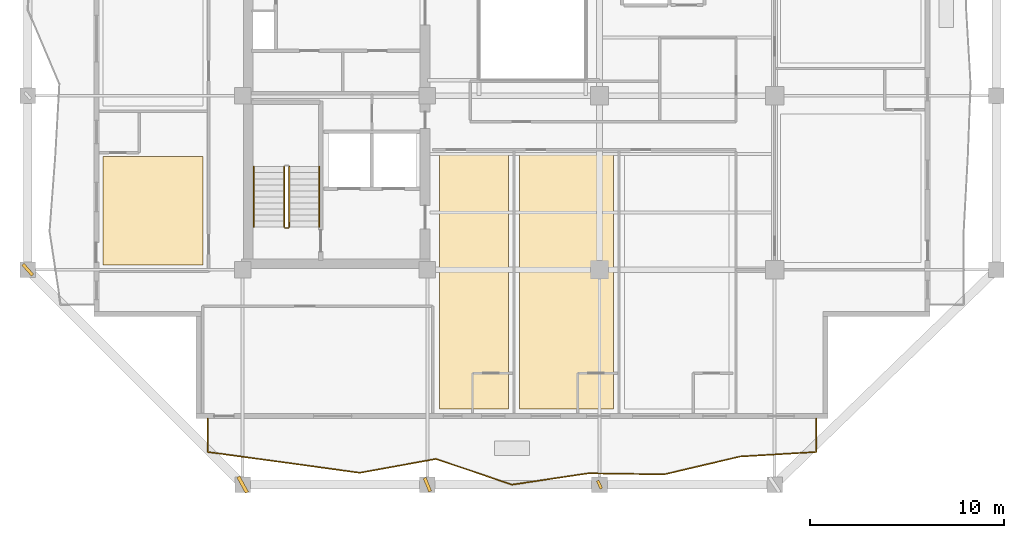
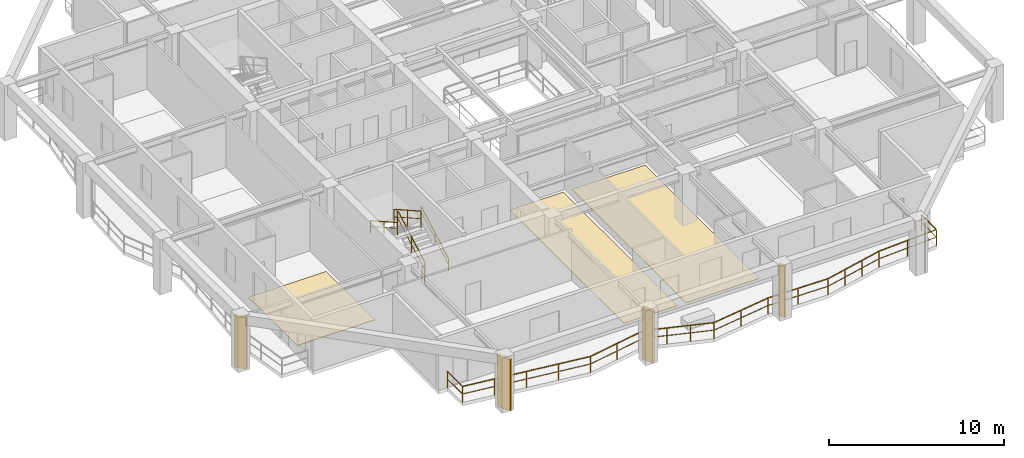
# One storey, part 8 of 13: 6 railings, 4 shading devices, 3 coverings.
"""IFC4 building model written with IfcOpenShell, lengths in metres."""

from ifc_helpers import new_model, si_unit, direction, frame, origin, origin_2d, place, context, subcontext, project, spatial, polyline, rectangle, outline, extrude, material, layer, layer_set, type_object, element, save


model = new_model("IFC4")

# Units and contexts
model_context = context("Model", 3, precision=1e-05, world=origin(), true_north=direction((0.0, 1.0)))
body_context = subcontext(model_context, "Body", "Model", "MODEL_VIEW")
ifc_project = project(units=[si_unit("LENGTHUNIT", "METRE"), si_unit("AREAUNIT", "SQUARE_METRE"), si_unit("VOLUMEUNIT", "CUBIC_METRE"), si_unit("PLANEANGLEUNIT", "RADIAN"), si_unit("MASSUNIT", "GRAM", prefix="KILO")], contexts=[model_context])

# Site, building, storey
site_placement = place(None, origin())
site = spatial("IfcSite", under=ifc_project, at=site_placement, CompositionType="ELEMENT")
building_placement = place(site_placement, origin())
building = spatial("IfcBuilding", under=site, at=building_placement, Name="Kundavana Baori Tower", CompositionType="ELEMENT")
storey_placement = place(building_placement, frame((0.0, 0.0, 177.14990234375)))
storey = spatial("IfcBuildingStorey", under=building, at=storey_placement, Name="L43", CompositionType="ELEMENT", Elevation=177.14990234375)

# Coverings
ifc_material_1 = material(Name="Honed Kota Stone and Terrazzo Flooring", Category="masonry")
ifc_layer = layer(ifc_material_1, 0.030029296875, Name="COV-INT-FLR")
ifc_layer_set = layer_set([ifc_layer], Name="Honed Kota Stone and Terrazzo Flooring")
covering_type = type_object("IfcCoveringType", Name="COV-INT-FLR", PredefinedType="FLOORING", material=ifc_layer_set)
covering_1_placement = place(storey_placement, origin())
element("IfcCovering", 1, at=covering_1_placement, inside=storey, type_object=covering_type, Name="L43 Room Finished Stone Flooring 1", PredefinedType="FLOORING", context=body_context, shape_type="SweptSolid", body=[
    extrude(outline(polyline([(8.280029296875, 15.5), (13.419921875, 15.5), (13.419921875, 21.070068359375), (8.280029296875, 21.070068359375), (8.280029296875, 15.5)])), origin(), (0.0, 0.0, 1.0), 0.030029296875),
])
covering_2_placement = place(storey_placement, origin())
element("IfcCovering", 2, at=covering_2_placement, inside=storey, type_object=covering_type, Name="L43 Room Finished Stone Flooring 4", PredefinedType="FLOORING", context=body_context, shape_type="SweptSolid", body=[
    extrude(outline(polyline([(25.580078125, 8.080078125), (29.1201171875, 8.080078125), (29.1201171875, 21.139892578125), (25.580078125, 21.139892578125), (25.580078125, 8.080078125)])), origin(), (0.0, 0.0, 1.0), 0.030029296875),
])
covering_3_placement = place(storey_placement, origin())
element("IfcCovering", 3, at=covering_3_placement, inside=storey, type_object=covering_type, Name="L43 Room Finished Stone Flooring 5", PredefinedType="FLOORING", context=body_context, shape_type="SweptSolid", body=[
    extrude(outline(polyline([(29.679931640625, 8.080078125), (34.52001953125, 8.080078125), (34.52001953125, 21.139892578125), (29.679931640625, 21.139892578125), (29.679931640625, 8.080078125)])), origin(), (0.0, 0.0, 1.0), 0.030029296875),
])

# Railings
ifc_material_2 = material(Name="Architectural Patinated Bronze Metalwork")
railing_type_1 = type_object("IfcRailingType", Name="RL-BAL-1150", PredefinedType="BALUSTRADE", material=ifc_material_2)
railing_1_placement = place(storey_placement, frame((44.949951171875, 7.60009765625, 0.0)))
element("IfcRailing", 4, at=railing_1_placement, inside=storey, type_object=railing_type_1, Name="L43 Loggia Balcony Balustrade S", PredefinedType="BALUSTRADE", context=body_context, shape_type="SweptSolid", body=[
    extrude(rectangle(XDim=0.048095703125, YDim=0.048095703125, at=origin_2d()), frame((0.0, 0.0, 1.1259765625), z_axis=(0.0, -1.0, 0.0), x_axis=(1.0, 0.0, 0.0)), (0.0, 0.0, 1.0), 1.72021484375),
    extrude(rectangle(XDim=0.03125, YDim=0.03125, at=origin_2d()), frame((0.0, 0.0, 0.597900390625), z_axis=(0.0, -1.0, 0.0), x_axis=(1.0, 0.0, 0.0)), (0.0, 0.0, 1.0), 1.72021484375),
    extrude(rectangle(XDim=0.048095703125, YDim=0.048095703125, at=origin_2d()), frame((0.0, -1.72021484375, 1.1259765625), z_axis=(-0.998246981937, -0.059185834915, 0.0), x_axis=(0.059185834915, -0.998246981937, 0.0)), (0.0, 0.0, 1.0), 3.918701171875),
    extrude(rectangle(XDim=0.03125, YDim=0.03125, at=origin_2d()), frame((0.0, -1.72021484375, 0.597900390625), z_axis=(-0.998246981937, -0.059185834915, 0.0), x_axis=(0.059185834915, -0.998246981937, 0.0)), (0.0, 0.0, 1.0), 3.918701171875),
    extrude(rectangle(XDim=0.048095703125, YDim=0.048095703125, at=origin_2d()), frame((-3.911865234375, -1.9521484375, 1.1259765625), z_axis=(-0.973515852472, -0.228619520134, 0.0), x_axis=(0.228619520134, -0.973515852472, 0.0)), (0.0, 0.0, 1.0), 4.01953125),
    extrude(rectangle(XDim=0.03125, YDim=0.03125, at=origin_2d()), frame((-3.911865234375, -1.9521484375, 0.597900390625), z_axis=(-0.973515852472, -0.228619520134, 0.0), x_axis=(0.228619520134, -0.973515852472, 0.0)), (0.0, 0.0, 1.0), 4.01953125),
    extrude(rectangle(XDim=0.048095703125, YDim=0.048095703125, at=origin_2d()), frame((-7.824951171875, -2.87109375, 1.1259765625), z_axis=(-0.999904906523, 0.01379050077, 0.0), x_axis=(-0.01379050077, -0.999904906523, 0.0)), (0.0, 0.0, 1.0), 3.91259765625),
    extrude(rectangle(XDim=0.03125, YDim=0.03125, at=origin_2d()), frame((-7.824951171875, -2.87109375, 0.597900390625), z_axis=(-0.999904906523, 0.01379050077, 0.0), x_axis=(-0.01379050077, -0.999904906523, 0.0)), (0.0, 0.0, 1.0), 3.91259765625),
    extrude(rectangle(XDim=0.048095703125, YDim=0.048095703125, at=origin_2d()), frame((-11.737060546875, -2.817138671875, 1.1259765625), z_axis=(-0.989081184135, -0.147371677027, 0.0), x_axis=(0.147371677027, -0.989081184135, 0.0)), (0.0, 0.0, 1.0), 3.9560546875),
    extrude(rectangle(XDim=0.03125, YDim=0.03125, at=origin_2d()), frame((-11.737060546875, -2.817138671875, 0.597900390625), z_axis=(-0.989081184135, -0.147371677027, 0.0), x_axis=(0.147371677027, -0.989081184135, 0.0)), (0.0, 0.0, 1.0), 3.9560546875),
    extrude(rectangle(XDim=0.048095703125, YDim=0.048095703125, at=origin_2d()), frame((-15.64990234375, -3.400146484375, 1.1259765625), z_axis=(-0.947296863291, 0.32035707078, 0.0), x_axis=(-0.32035707078, -0.947296863291, 0.0)), (0.0, 0.0, 1.0), 4.129638671875),
    extrude(rectangle(XDim=0.03125, YDim=0.03125, at=origin_2d()), frame((-15.64990234375, -3.400146484375, 0.597900390625), z_axis=(-0.947296863291, 0.32035707078, 0.0), x_axis=(-0.32035707078, -0.947296863291, 0.0)), (0.0, 0.0, 1.0), 4.129638671875),
    extrude(rectangle(XDim=0.048095703125, YDim=0.048095703125, at=origin_2d()), frame((-19.56201171875, -2.0771484375, 1.1259765625), z_axis=(-0.98380502376, -0.179241946052, 0.0), x_axis=(0.179241946052, -0.98380502376, 0.0)), (0.0, 0.0, 1.0), 3.977294921875),
    extrude(rectangle(XDim=0.03125, YDim=0.03125, at=origin_2d()), frame((-19.56201171875, -2.0771484375, 0.597900390625), z_axis=(-0.98380502376, -0.179241946052, 0.0), x_axis=(0.179241946052, -0.98380502376, 0.0)), (0.0, 0.0, 1.0), 3.977294921875),
    extrude(rectangle(XDim=0.048095703125, YDim=0.048095703125, at=origin_2d()), frame((-23.474853515625, -2.7900390625, 1.1259765625), z_axis=(-0.990685928468, 0.136166776916, 0.0), x_axis=(-0.136166776916, -0.990685928468, 0.0)), (0.0, 0.0, 1.0), 3.949951171875),
    extrude(rectangle(XDim=0.03125, YDim=0.03125, at=origin_2d()), frame((-23.474853515625, -2.7900390625, 0.597900390625), z_axis=(-0.990685928468, 0.136166776916, 0.0), x_axis=(-0.136166776916, -0.990685928468, 0.0)), (0.0, 0.0, 1.0), 3.949951171875),
    extrude(rectangle(XDim=0.048095703125, YDim=0.048095703125, at=origin_2d()), frame((-27.387939453125, -2.252197265625, 1.1259765625), z_axis=(-0.990880522141, 0.13474342597, 0.0), x_axis=(-0.13474342597, -0.990880522141, 0.0)), (0.0, 0.0, 1.0), 3.947998046875),
    extrude(rectangle(XDim=0.03125, YDim=0.03125, at=origin_2d()), frame((-27.387939453125, -2.252197265625, 0.597900390625), z_axis=(-0.990880522141, 0.13474342597, 0.0), x_axis=(-0.13474342597, -0.990880522141, 0.0)), (0.0, 0.0, 1.0), 3.947998046875),
    extrude(rectangle(XDim=0.048095703125, YDim=0.048095703125, at=origin_2d()), frame((-31.300048828125, -1.72021484375, 1.1259765625), z_axis=(0.0, 1.0, 0.0), x_axis=(-1.0, 0.0, 0.0)), (0.0, 0.0, 1.0), 1.72021484375),
    extrude(rectangle(XDim=0.03125, YDim=0.03125, at=origin_2d()), frame((-31.300048828125, -1.72021484375, 0.597900390625), z_axis=(0.0, 1.0, 0.0), x_axis=(-1.0, 0.0, 0.0)), (0.0, 0.0, 1.0), 1.72021484375),
    extrude(rectangle(XDim=0.0419921875, YDim=0.0419921875, at=origin_2d()), origin(), (0.0, 0.0, 1.0), 1.101806640625),
    extrude(rectangle(XDim=0.0419921875, YDim=0.0419921875, at=origin_2d()), frame((0.0, -1.72021484375, 0.0)), (0.0, 0.0, 1.0), 1.101806640625),
    extrude(rectangle(XDim=0.0419921875, YDim=0.0419921875, at=origin_2d()), frame((-1.9560546875, -1.836181640625, 0.0)), (0.0, 0.0, 1.0), 1.101806640625),
    extrude(rectangle(XDim=0.0419921875, YDim=0.0419921875, at=origin_2d()), frame((-3.911865234375, -1.9521484375, 0.0)), (0.0, 0.0, 1.0), 1.101806640625),
    extrude(rectangle(XDim=0.0419921875, YDim=0.0419921875, at=origin_2d()), frame((-5.21630859375, -2.258544921875, 0.0)), (0.0, 0.0, 1.0), 1.101806640625),
    extrude(rectangle(XDim=0.0419921875, YDim=0.0419921875, at=origin_2d()), frame((-6.5205078125, -2.564697265625, 0.0)), (0.0, 0.0, 1.0), 1.101806640625),
    extrude(rectangle(XDim=0.0419921875, YDim=0.0419921875, at=origin_2d()), frame((-7.824951171875, -2.87109375, 0.0)), (0.0, 0.0, 1.0), 1.101806640625),
    extrude(rectangle(XDim=0.0419921875, YDim=0.0419921875, at=origin_2d()), frame((-9.781005859375, -2.84423828125, 0.0)), (0.0, 0.0, 1.0), 1.101806640625),
    extrude(rectangle(XDim=0.0419921875, YDim=0.0419921875, at=origin_2d()), frame((-11.737060546875, -2.817138671875, 0.0)), (0.0, 0.0, 1.0), 1.101806640625),
    extrude(rectangle(XDim=0.0419921875, YDim=0.0419921875, at=origin_2d()), frame((-13.693359375, -3.108642578125, 0.0)), (0.0, 0.0, 1.0), 1.101806640625),
    extrude(rectangle(XDim=0.0419921875, YDim=0.0419921875, at=origin_2d()), frame((-15.64990234375, -3.400146484375, 0.0)), (0.0, 0.0, 1.0), 1.101806640625),
    extrude(rectangle(XDim=0.0419921875, YDim=0.0419921875, at=origin_2d()), frame((-16.953857421875, -2.959228515625, 0.0)), (0.0, 0.0, 1.0), 1.101806640625),
    extrude(rectangle(XDim=0.0419921875, YDim=0.0419921875, at=origin_2d()), frame((-18.258056640625, -2.51806640625, 0.0)), (0.0, 0.0, 1.0), 1.101806640625),
    extrude(rectangle(XDim=0.0419921875, YDim=0.0419921875, at=origin_2d()), frame((-19.56201171875, -2.0771484375, 0.0)), (0.0, 0.0, 1.0), 1.101806640625),
    extrude(rectangle(XDim=0.0419921875, YDim=0.0419921875, at=origin_2d()), frame((-21.5185546875, -2.43359375, 0.0)), (0.0, 0.0, 1.0), 1.101806640625),
    extrude(rectangle(XDim=0.0419921875, YDim=0.0419921875, at=origin_2d()), frame((-23.474853515625, -2.7900390625, 0.0)), (0.0, 0.0, 1.0), 1.101806640625),
    extrude(rectangle(XDim=0.0419921875, YDim=0.0419921875, at=origin_2d()), frame((-25.431396484375, -2.52099609375, 0.0)), (0.0, 0.0, 1.0), 1.101806640625),
    extrude(rectangle(XDim=0.0419921875, YDim=0.0419921875, at=origin_2d()), frame((-27.387939453125, -2.252197265625, 0.0)), (0.0, 0.0, 1.0), 1.101806640625),
    extrude(rectangle(XDim=0.0419921875, YDim=0.0419921875, at=origin_2d()), frame((-29.343994140625, -1.986328125, 0.0)), (0.0, 0.0, 1.0), 1.101806640625),
    extrude(rectangle(XDim=0.0419921875, YDim=0.0419921875, at=origin_2d()), frame((-31.300048828125, -1.72021484375, 0.0)), (0.0, 0.0, 1.0), 1.101806640625),
    extrude(rectangle(XDim=0.0419921875, YDim=0.0419921875, at=origin_2d()), frame((-31.300048828125, 0.0, 0.0)), (0.0, 0.0, 1.0), 1.101806640625),
])
ifc_material_3 = material(Name="Architectural Patinated Bronze Metalwork")
railing_type_2 = type_object("IfcRailingType", Name="RL-GRD-1150", PredefinedType="GUARDRAIL", material=ifc_material_3)
railing_2_placement = place(storey_placement, frame((17.840087890625, 17.449951171875, 0.175048828125)))
element("IfcRailing", 5, at=railing_2_placement, inside=storey, type_object=railing_type_2, Name="L43 ST1 stair guard 1", PredefinedType="GUARDRAIL", context=body_context, shape_type="SweptSolid", body=[
    extrude(rectangle(XDim=0.048095703125, YDim=0.048095703125, at=origin_2d()), frame((0.0, 0.0, 1.1259765625), z_axis=(0.0, 0.870830938388, 0.491582624537), x_axis=(-1.0, 0.0, 0.0)), (0.0, 0.0, 1.0), 3.559814453125),
    extrude(rectangle(XDim=0.03125, YDim=0.03125, at=origin_2d()), frame((0.0, 0.0, 0.597900390625), z_axis=(0.0, 0.870830938388, 0.491582624537), x_axis=(-1.0, 0.0, 0.0)), (0.0, 0.0, 1.0), 3.559814453125),
    extrude(rectangle(XDim=0.0419921875, YDim=0.0419921875, at=origin_2d()), origin(), (0.0, 0.0, 1.0), 1.101806640625),
    extrude(rectangle(XDim=0.0419921875, YDim=0.0419921875, at=origin_2d()), frame((0.0, 1.550048828125, 0.875)), (0.0, 0.0, 1.0), 1.101806640625),
    extrude(rectangle(XDim=0.0419921875, YDim=0.0419921875, at=origin_2d()), frame((0.0, 3.10009765625, 1.75)), (0.0, 0.0, 1.0), 1.101806640625),
])
railing_3_placement = place(storey_placement, frame((17.580078125, 20.550048828125, 2.10009765625)))
element("IfcRailing", 6, at=railing_3_placement, inside=storey, type_object=railing_type_2, Name="L43 ST1 stair guard 3", PredefinedType="GUARDRAIL", context=body_context, shape_type="SweptSolid", body=[
    extrude(rectangle(XDim=0.048095703125, YDim=0.048095703125, at=origin_2d()), frame((0.0, 0.0, 1.1259765625), z_axis=(0.0, -0.870830938388, 0.491582624537), x_axis=(1.0, 0.0, 0.0)), (0.0, 0.0, 1.0), 3.559814453125),
    extrude(rectangle(XDim=0.03125, YDim=0.03125, at=origin_2d()), frame((0.0, 0.0, 0.597900390625), z_axis=(0.0, -0.870830938388, 0.491582624537), x_axis=(1.0, 0.0, 0.0)), (0.0, 0.0, 1.0), 3.559814453125),
    extrude(rectangle(XDim=0.0419921875, YDim=0.0419921875, at=origin_2d()), origin(), (0.0, 0.0, 1.0), 1.101806640625),
    extrude(rectangle(XDim=0.0419921875, YDim=0.0419921875, at=origin_2d()), frame((0.0, -1.550048828125, 0.875)), (0.0, 0.0, 1.0), 1.101806640625),
    extrude(rectangle(XDim=0.0419921875, YDim=0.0419921875, at=origin_2d()), frame((0.0, -3.10009765625, 1.75)), (0.0, 0.0, 1.0), 1.101806640625),
])
railing_4_placement = place(storey_placement, frame((17.7900390625, 17.39990234375, 0.0)))
element("IfcRailing", 7, at=railing_4_placement, inside=storey, type_object=railing_type_2, Name="L43 ST1 stair guard 4", PredefinedType="GUARDRAIL", context=body_context, shape_type="SweptSolid", body=[
    extrude(rectangle(XDim=0.048095703125, YDim=0.048095703125, at=origin_2d()), frame((0.0, 0.0, 1.1259765625), z_axis=(-1.0, 0.0, 0.0), x_axis=(0.0, -1.0, 0.0)), (0.0, 0.0, 1.0), 0.16015625),
    extrude(rectangle(XDim=0.03125, YDim=0.03125, at=origin_2d()), frame((0.0, 0.0, 0.597900390625), z_axis=(-1.0, 0.0, 0.0), x_axis=(0.0, -1.0, 0.0)), (0.0, 0.0, 1.0), 0.16015625),
    extrude(rectangle(XDim=0.0419921875, YDim=0.0419921875, at=origin_2d()), origin(), (0.0, 0.0, 1.0), 1.101806640625),
    extrude(rectangle(XDim=0.0419921875, YDim=0.0419921875, at=origin_2d()), frame((-0.16015625, 0.0, 0.0)), (0.0, 0.0, 1.0), 1.101806640625),
])
ifc_material_4 = material(Name="Architectural Patinated Bronze Metalwork")
railing_type_3 = type_object("IfcRailingType", Name="RL-HND-920", PredefinedType="HANDRAIL", material=ifc_material_4)
railing_5_placement = place(storey_placement, frame((19.389892578125, 17.449951171875, 0.175048828125)))
element("IfcRailing", 8, at=railing_5_placement, inside=storey, type_object=railing_type_3, Name="L43 ST1 stair handrail 1", PredefinedType="HANDRAIL", context=body_context, shape_type="SweptSolid", body=[
    extrude(rectangle(XDim=0.048095703125, YDim=0.048095703125, at=origin_2d()), frame((0.0, 0.0, 0.8759765625), z_axis=(0.0, 0.870830938388, 0.491582624537), x_axis=(-1.0, 0.0, 0.0)), (0.0, 0.0, 1.0), 3.559814453125),
    extrude(rectangle(XDim=0.03125, YDim=0.03125, at=origin_2d()), frame((0.0, 0.0, 0.468017578125), z_axis=(0.0, 0.870830938388, 0.491582624537), x_axis=(-1.0, 0.0, 0.0)), (0.0, 0.0, 1.0), 3.559814453125),
    extrude(rectangle(XDim=0.0419921875, YDim=0.0419921875, at=origin_2d()), origin(), (0.0, 0.0, 1.0), 0.851806640625),
    extrude(rectangle(XDim=0.0419921875, YDim=0.0419921875, at=origin_2d()), frame((0.0, 1.550048828125, 0.875)), (0.0, 0.0, 1.0), 0.851806640625),
    extrude(rectangle(XDim=0.0419921875, YDim=0.0419921875, at=origin_2d()), frame((0.0, 3.10009765625, 1.75)), (0.0, 0.0, 1.0), 0.851806640625),
])
railing_6_placement = place(storey_placement, frame((16.030029296875, 20.550048828125, 2.10009765625)))
element("IfcRailing", 9, at=railing_6_placement, inside=storey, type_object=railing_type_3, Name="L43 ST1 stair handrail 2", PredefinedType="HANDRAIL", context=body_context, shape_type="SweptSolid", body=[
    extrude(rectangle(XDim=0.048095703125, YDim=0.048095703125, at=origin_2d()), frame((0.0, 0.0, 0.8759765625), z_axis=(0.0, -0.870830938388, 0.491582624537), x_axis=(1.0, 0.0, 0.0)), (0.0, 0.0, 1.0), 3.559814453125),
    extrude(rectangle(XDim=0.03125, YDim=0.03125, at=origin_2d()), frame((0.0, 0.0, 0.468017578125), z_axis=(0.0, -0.870830938388, 0.491582624537), x_axis=(1.0, 0.0, 0.0)), (0.0, 0.0, 1.0), 3.559814453125),
    extrude(rectangle(XDim=0.0419921875, YDim=0.0419921875, at=origin_2d()), origin(), (0.0, 0.0, 1.0), 0.851806640625),
    extrude(rectangle(XDim=0.0419921875, YDim=0.0419921875, at=origin_2d()), frame((0.0, -1.550048828125, 0.875)), (0.0, 0.0, 1.0), 0.851806640625),
    extrude(rectangle(XDim=0.0419921875, YDim=0.0419921875, at=origin_2d()), frame((0.0, -3.10009765625, 1.75)), (0.0, 0.0, 1.0), 0.851806640625),
])

# Shading devices
ifc_material_5 = material(Name="Red-Buff Dholpur Sandstone Cladding on Concrete C40/50", Category="masonry")
shading_device_type_1 = type_object("IfcShadingDeviceType", Name="SHD-FIN-750", PredefinedType="JALOUSIE", material=ifc_material_5)
for number, where, z_axis, x_axis, name in (
    (10, (24.949951171875, 4.199951171875, 0.0), (0.0, 0.0, 1.0), (0.92547440327, 0.378810148876, 0.0), "L43 Sweeping Dholpur Sandstone Facade Fin 2"),
    (11, (4.39990234375, 15.25, 0.0), (0.0, 0.0, 1.0), (0.751033703695, 0.6602638684, 0.0), "L43 Sweeping Dholpur Sandstone Facade Fin 5"),
):
    element("IfcShadingDevice", number, at=place(storey_placement, frame(where, z_axis=z_axis, x_axis=x_axis)), inside=storey, type_object=shading_device_type_1, Name=name, PredefinedType="JALOUSIE", context=body_context, shape_type="SweptSolid", body=[
        extrude(rectangle(XDim=0.159912109375, YDim=0.75, at=origin_2d()), origin(), (0.0, 0.0, 1.0), 3.60009765625),
    ])
ifc_material_6 = material(Name="Red-Buff Dholpur Sandstone Cladding on Concrete C40/50", Category="masonry")
shading_device_type_2 = type_object("IfcShadingDeviceType", Name="SHD-FIN-920", PredefinedType="JALOUSIE", material=ifc_material_6)
shading_device_1_placement = place(storey_placement, frame((15.449951171875, 4.199951171875, 0.0), z_axis=(0.0, 0.0, 1.0), x_axis=(0.877564903719, 0.479457860256, 0.0)))
element("IfcShadingDevice", 12, at=shading_device_1_placement, inside=storey, type_object=shading_device_type_2, Name="L43 Sweeping Dholpur Sandstone Facade Fin 1", PredefinedType="JALOUSIE", context=body_context, shape_type="SweptSolid", body=[
    extrude(rectangle(XDim=0.179931640625, YDim=0.919921875, at=origin_2d()), origin(), (0.0, 0.0, 1.0), 3.60009765625),
])
ifc_material_7 = material(Name="Architectural Patinated Bronze Metalwork")
shading_device_type_3 = type_object("IfcShadingDeviceType", Name="SHD-LOUV-450", PredefinedType="SHUTTER", material=ifc_material_7)
shading_device_2_placement = place(storey_placement, frame((33.800048828125, 4.199951171875, 0.0), z_axis=(0.0, 0.0, 1.0), x_axis=(0.90755772951, 0.419927336103, 0.0)))
element("IfcShadingDevice", 13, at=shading_device_2_placement, inside=storey, type_object=shading_device_type_3, Name="L43 Sweeping Dholpur Sandstone Facade Fin 3", PredefinedType="SHUTTER", context=body_context, shape_type="SweptSolid", body=[
    extrude(rectangle(XDim=0.139892578125, YDim=0.449951171875, at=origin_2d()), origin(), (0.0, 0.0, 1.0), 3.60009765625),
])

save(model, "model.ifc")
